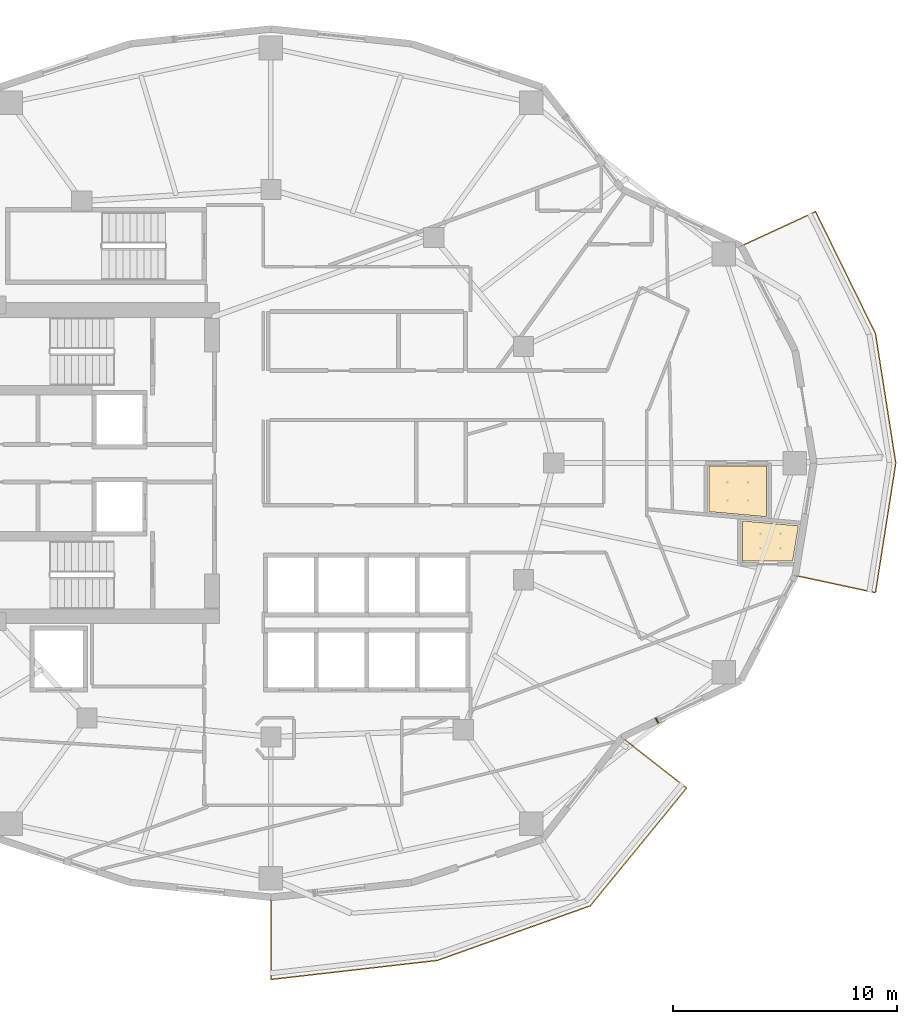
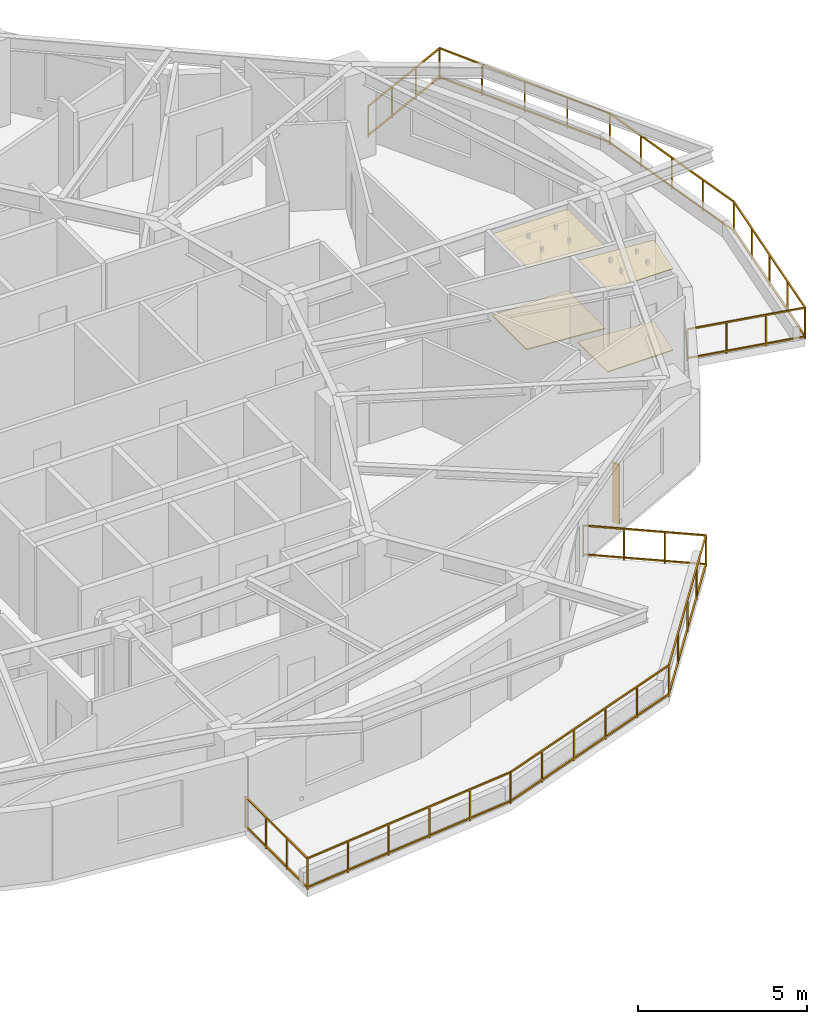
# One storey, part 12 of 14: 4 coverings, 2 railings, 1 shading device.
"""IFC4 building model written with IfcOpenShell, lengths in metres."""

from ifc_helpers import new_model, si_unit, direction, frame, origin, origin_2d, place, context, subcontext, project, spatial, polyline, rectangle, outline, extrude, material, layer, layer_set, type_object, element, save


model = new_model("IFC4")

# Units and contexts
model_context = context("Model", 3, precision=1e-05, world=origin(), true_north=direction((0.0, 1.0)))
body_context = subcontext(model_context, "Body", "Model", "MODEL_VIEW")
ifc_project = project(units=[si_unit("LENGTHUNIT", "METRE"), si_unit("AREAUNIT", "SQUARE_METRE"), si_unit("VOLUMEUNIT", "CUBIC_METRE"), si_unit("PLANEANGLEUNIT", "RADIAN"), si_unit("MASSUNIT", "GRAM", prefix="KILO")], contexts=[model_context])

# Site, building, storey
site_placement = place(None, origin())
site = spatial("IfcSite", under=ifc_project, at=site_placement, CompositionType="ELEMENT")
building_placement = place(site_placement, origin())
building = spatial("IfcBuilding", under=site, at=building_placement, Name="Kolvaren Gate Tower and Convention Centre", CompositionType="ELEMENT")
storey_placement = place(building_placement, frame((0.0, 0.0, 132.5)))
storey = spatial("IfcBuildingStorey", under=building, at=storey_placement, Name="L33", CompositionType="ELEMENT", Elevation=132.5)

# Coverings
ifc_material_1 = material(Name="Perforated Mineral-Fibre Acoustic Ceiling Tile 18 mm", Category="gypsum")
ifc_layer_1 = layer(ifc_material_1, 0.01806640625)
ifc_layer_set_1 = layer_set([ifc_layer_1], Name="Perforated Mineral-Fibre Acoustic Ceiling Tile 18 mm")
covering_type_1 = type_object("IfcCoveringType", Name="ARCH-COV-CEIL-18", PredefinedType="CEILING", material=ifc_layer_set_1)
covering_1_placement = place(storey_placement, frame((0.0, 0.0, 2.949951171875)))
element("IfcCovering", 1, at=covering_1_placement, inside=storey, type_object=covering_type_1, Name="En-suite Bathroom (HTL-L33-05) Acoustic Suspended Ceiling", PredefinedType="CEILING", context=body_context, shape_type="SweptSolid", body=[
    extrude(outline(polyline([(51.139892578125, 22.639892578125), (51.139892578125, 24.426025390625), (53.62890625, 24.2060546875), (53.3720703125, 22.639892578125), (51.139892578125, 22.639892578125)])), origin(), (0.0, 0.0, 1.0), 0.01806640625),
])
covering_2_placement = place(storey_placement, frame((0.0, 0.0, 2.949951171875)))
element("IfcCovering", 2, at=covering_2_placement, inside=storey, type_object=covering_type_1, Name="En-suite Bathroom (HTL-L33-07) Acoustic Suspended Ceiling", PredefinedType="CEILING", context=body_context, shape_type="SweptSolid", body=[
    extrude(outline(polyline([(49.639892578125, 26.862060546875), (52.2099609375, 26.862060546875), (52.2099609375, 24.612060546875), (49.639892578125, 24.839111328125), (49.639892578125, 26.862060546875)])), origin(), (0.0, 0.0, 1.0), 0.01806640625),
])
ifc_material_2 = material(Name="Honed Sabana Limestone Terrazzo Flooring 30 mm", Category="masonry")
ifc_layer_2 = layer(ifc_material_2, 0.030029296875)
ifc_layer_set_2 = layer_set([ifc_layer_2], Name="Honed Sabana Limestone Terrazzo Flooring 30 mm")
covering_type_2 = type_object("IfcCoveringType", Name="ARCH-COV-FLR-30", PredefinedType="FLOORING", material=ifc_layer_set_2)
covering_3_placement = place(storey_placement, origin())
element("IfcCovering", 3, at=covering_3_placement, inside=storey, type_object=covering_type_2, Name="En-suite Bathroom (HTL-L33-05) Interior Finish Flooring", PredefinedType="FLOORING", context=body_context, shape_type="SweptSolid", body=[
    extrude(outline(polyline([(51.139892578125, 22.639892578125), (51.139892578125, 24.426025390625), (53.62890625, 24.2060546875), (53.3720703125, 22.639892578125), (51.139892578125, 22.639892578125)])), origin(), (0.0, 0.0, 1.0), 0.030029296875),
])
covering_4_placement = place(storey_placement, origin())
element("IfcCovering", 4, at=covering_4_placement, inside=storey, type_object=covering_type_2, Name="En-suite Bathroom (HTL-L33-07) Interior Finish Flooring", PredefinedType="FLOORING", context=body_context, shape_type="SweptSolid", body=[
    extrude(outline(polyline([(49.639892578125, 26.862060546875), (52.2099609375, 26.862060546875), (52.2099609375, 24.612060546875), (49.639892578125, 24.839111328125), (49.639892578125, 26.862060546875)])), origin(), (0.0, 0.0, 1.0), 0.030029296875),
])

# Railings
ifc_material_3 = material(Name="Brushed Stainless Steel Grade 316L", Category="steel")
railing_type = type_object("IfcRailingType", Name="ARCH-RL-GUARD-1150", PredefinedType="GUARDRAIL", material=ifc_material_3)
railing_1_placement = place(storey_placement, frame((30.125, 7.64990234375, 0.0)))
element("IfcRailing", 5, at=railing_1_placement, inside=storey, type_object=railing_type, Name="Tower L33 Terrace Perimeter Guardrail GR-3", PredefinedType="GUARDRAIL", context=body_context, shape_type="SweptSolid", body=[
    extrude(rectangle(XDim=0.048095703125, YDim=0.048095703125, at=origin_2d()), frame((0.0, -0.028076171875, 1.1259765625), z_axis=(0.0, -1.0, 0.0), x_axis=(1.0, 0.0, 0.0)), (0.0, 0.0, 1.0), 3.603759765625),
    extrude(rectangle(XDim=0.048095703125, YDim=0.048095703125, at=origin_2d()), frame((0.0, -0.028076171875, 0.083984375), z_axis=(0.0, -1.0, 0.0), x_axis=(1.0, 0.0, 0.0)), (0.0, 0.0, 1.0), 3.603759765625),
    extrude(rectangle(XDim=0.048095703125, YDim=0.048095703125, at=origin_2d()), frame((0.02783203125, -3.65673828125, 1.1259765625), z_axis=(0.993523927361, 0.113623086387, 0.0), x_axis=(-0.113623086387, 0.993523927361, 0.0)), (0.0, 0.0, 1.0), 7.414794921875),
    extrude(rectangle(XDim=0.048095703125, YDim=0.048095703125, at=origin_2d()), frame((0.02783203125, -3.65673828125, 0.083984375), z_axis=(0.993523927361, 0.113623086387, 0.0), x_axis=(-0.113623086387, 0.993523927361, 0.0)), (0.0, 0.0, 1.0), 7.414794921875),
    extrude(rectangle(XDim=0.048095703125, YDim=0.048095703125, at=origin_2d()), frame((7.448974609375, -2.801513671875, 1.1259765625), z_axis=(0.941628873241, 0.336652736627, 0.0), x_axis=(-0.336652736627, 0.941628873241, 0.0)), (0.0, 0.0, 1.0), 7.17919921875),
    extrude(rectangle(XDim=0.048095703125, YDim=0.048095703125, at=origin_2d()), frame((7.448974609375, -2.801513671875, 0.083984375), z_axis=(0.941628873241, 0.336652736627, 0.0), x_axis=(-0.336652736627, 0.941628873241, 0.0)), (0.0, 0.0, 1.0), 7.17919921875),
    extrude(rectangle(XDim=0.048095703125, YDim=0.048095703125, at=origin_2d()), frame((14.25341796875, -0.353515625, 1.1259765625), z_axis=(0.633002467947, 0.77414977593, 0.0), x_axis=(-0.77414977593, 0.633002467947, 0.0)), (0.0, 0.0, 1.0), 6.724365234375),
    extrude(rectangle(XDim=0.048095703125, YDim=0.048095703125, at=origin_2d()), frame((14.25341796875, -0.353515625, 0.083984375), z_axis=(0.633002467947, 0.77414977593, 0.0), x_axis=(-0.77414977593, 0.633002467947, 0.0)), (0.0, 0.0, 1.0), 6.724365234375),
    extrude(rectangle(XDim=0.048095703125, YDim=0.048095703125, at=origin_2d()), frame((18.50537109375, 4.89111328125, 1.1259765625), z_axis=(-0.787963688807, 0.615721710776, 0.0), x_axis=(-0.615721710776, -0.787963688807, 0.0)), (0.0, 0.0, 1.0), 3.603759765625),
    extrude(rectangle(XDim=0.048095703125, YDim=0.048095703125, at=origin_2d()), frame((18.50537109375, 4.89111328125, 0.083984375), z_axis=(-0.787963688807, 0.615721710776, 0.0), x_axis=(-0.615721710776, -0.787963688807, 0.0)), (0.0, 0.0, 1.0), 3.603759765625),
    extrude(rectangle(XDim=0.0419921875, YDim=0.0419921875, at=origin_2d()), origin(), (0.0, 0.0, 1.0), 1.14990234375),
    extrude(rectangle(XDim=0.0419921875, YDim=0.0419921875, at=origin_2d()), frame((0.0, -3.659912109375, 0.0)), (0.0, 0.0, 1.0), 1.14990234375),
    extrude(rectangle(XDim=0.0419921875, YDim=0.0419921875, at=origin_2d()), frame((0.0, -1.219970703125, 0.0)), (0.0, 0.0, 1.0), 1.099853515625),
    extrude(rectangle(XDim=0.0419921875, YDim=0.0419921875, at=origin_2d()), frame((0.0, -2.43994140625, 0.0)), (0.0, 0.0, 1.0), 1.099853515625),
    extrude(rectangle(XDim=0.0419921875, YDim=0.0419921875, at=origin_2d()), frame((7.422607421875, -2.81103515625, 0.0)), (0.0, 0.0, 1.0), 1.14990234375),
    extrude(rectangle(XDim=0.0419921875, YDim=0.0419921875, at=origin_2d()), frame((1.484619140625, -3.490234375, 0.0)), (0.0, 0.0, 1.0), 1.099853515625),
    extrude(rectangle(XDim=0.0419921875, YDim=0.0419921875, at=origin_2d()), frame((2.968994140625, -3.3203125, 0.0)), (0.0, 0.0, 1.0), 1.099853515625),
    extrude(rectangle(XDim=0.0419921875, YDim=0.0419921875, at=origin_2d()), frame((4.45361328125, -3.150634765625, 0.0)), (0.0, 0.0, 1.0), 1.099853515625),
    extrude(rectangle(XDim=0.0419921875, YDim=0.0419921875, at=origin_2d()), frame((5.93798828125, -2.980712890625, 0.0)), (0.0, 0.0, 1.0), 1.099853515625),
    extrude(rectangle(XDim=0.0419921875, YDim=0.0419921875, at=origin_2d()), frame((14.235595703125, -0.375244140625, 0.0)), (0.0, 0.0, 1.0), 1.14990234375),
    extrude(rectangle(XDim=0.0419921875, YDim=0.0419921875, at=origin_2d()), frame((8.78515625, -2.323974609375, 0.0)), (0.0, 0.0, 1.0), 1.099853515625),
    extrude(rectangle(XDim=0.0419921875, YDim=0.0419921875, at=origin_2d()), frame((10.147705078125, -1.836669921875, 0.0)), (0.0, 0.0, 1.0), 1.099853515625),
    extrude(rectangle(XDim=0.0419921875, YDim=0.0419921875, at=origin_2d()), frame((11.510498046875, -1.349609375, 0.0)), (0.0, 0.0, 1.0), 1.099853515625),
    extrude(rectangle(XDim=0.0419921875, YDim=0.0419921875, at=origin_2d()), frame((12.873046875, -0.8623046875, 0.0)), (0.0, 0.0, 1.0), 1.099853515625),
    extrude(rectangle(XDim=0.0419921875, YDim=0.0419921875, at=origin_2d()), frame((18.527587890625, 4.873779296875, 0.0)), (0.0, 0.0, 1.0), 1.14990234375),
    extrude(rectangle(XDim=0.0419921875, YDim=0.0419921875, at=origin_2d()), frame((15.30859375, 0.93701171875, 0.0)), (0.0, 0.0, 1.0), 1.099853515625),
    extrude(rectangle(XDim=0.0419921875, YDim=0.0419921875, at=origin_2d()), frame((16.381591796875, 2.249267578125, 0.0)), (0.0, 0.0, 1.0), 1.099853515625),
    extrude(rectangle(XDim=0.0419921875, YDim=0.0419921875, at=origin_2d()), frame((17.45458984375, 3.5615234375, 0.0)), (0.0, 0.0, 1.0), 1.099853515625),
    extrude(rectangle(XDim=0.0419921875, YDim=0.0419921875, at=origin_2d()), frame((15.643798828125, 7.127197265625, 0.0)), (0.0, 0.0, 1.0), 1.14990234375),
    extrude(rectangle(XDim=0.0419921875, YDim=0.0419921875, at=origin_2d()), frame((17.56640625, 5.625, 0.0)), (0.0, 0.0, 1.0), 1.099853515625),
    extrude(rectangle(XDim=0.0419921875, YDim=0.0419921875, at=origin_2d()), frame((16.60498046875, 6.3759765625, 0.0)), (0.0, 0.0, 1.0), 1.099853515625),
])
railing_2_placement = place(storey_placement, frame((53.48828125, 21.991943359375, 0.0)))
element("IfcRailing", 6, at=railing_2_placement, inside=storey, type_object=railing_type, Name="Tower L33 Terrace Perimeter Guardrail GR-4", PredefinedType="GUARDRAIL", context=body_context, shape_type="SweptSolid", body=[
    extrude(rectangle(XDim=0.048095703125, YDim=0.048095703125, at=origin_2d()), frame((0.02734375, -0.005859375, 1.1259765625), z_axis=(0.977788745232, -0.209592866525, 0.0), x_axis=(0.209592866525, 0.977788745232, 0.0)), (0.0, 0.0, 1.0), 3.603759765625),
    extrude(rectangle(XDim=0.048095703125, YDim=0.048095703125, at=origin_2d()), frame((0.02734375, -0.005859375, 0.083984375), z_axis=(0.977788745232, -0.209592866525, 0.0), x_axis=(0.209592866525, 0.977788745232, 0.0)), (0.0, 0.0, 1.0), 3.603759765625),
    extrude(rectangle(XDim=0.048095703125, YDim=0.048095703125, at=origin_2d()), frame((3.5830078125, -0.739501953125, 1.1259765625), z_axis=(0.154903030247, 0.987929679289, 0.0), x_axis=(-0.987929679289, 0.154903030247, 0.0)), (0.0, 0.0, 1.0), 5.78955078125),
    extrude(rectangle(XDim=0.048095703125, YDim=0.048095703125, at=origin_2d()), frame((3.5830078125, -0.739501953125, 0.083984375), z_axis=(0.154903030247, 0.987929679289, 0.0), x_axis=(-0.987929679289, 0.154903030247, 0.0)), (0.0, 0.0, 1.0), 5.78955078125),
    extrude(rectangle(XDim=0.048095703125, YDim=0.048095703125, at=origin_2d()), frame((4.479736328125, 5.03564453125, 1.1259765625), z_axis=(-0.154903030247, 0.987929679289, 0.0), x_axis=(-0.987929679289, -0.154903030247, 0.0)), (0.0, 0.0, 1.0), 5.78955078125),
    extrude(rectangle(XDim=0.048095703125, YDim=0.048095703125, at=origin_2d()), frame((4.479736328125, 5.03564453125, 0.083984375), z_axis=(-0.154903030247, 0.987929679289, 0.0), x_axis=(-0.987929679289, -0.154903030247, 0.0)), (0.0, 0.0, 1.0), 5.78955078125),
    extrude(rectangle(XDim=0.048095703125, YDim=0.048095703125, at=origin_2d()), frame((3.566162109375, 10.808349609375, 1.1259765625), z_axis=(-0.441237167293, 0.897390529368, 0.0), x_axis=(-0.897390529368, -0.441237167293, 0.0)), (0.0, 0.0, 1.0), 5.999755859375),
    extrude(rectangle(XDim=0.048095703125, YDim=0.048095703125, at=origin_2d()), frame((3.566162109375, 10.808349609375, 0.083984375), z_axis=(-0.441237167293, 0.897390529368, 0.0), x_axis=(-0.897390529368, -0.441237167293, 0.0)), (0.0, 0.0, 1.0), 5.999755859375),
    extrude(rectangle(XDim=0.048095703125, YDim=0.048095703125, at=origin_2d()), frame((0.881103515625, 16.2060546875, 1.1259765625), z_axis=(-0.907846116663, -0.419303503993, 0.0), x_axis=(0.419303503993, -0.907846116663, 0.0)), (0.0, 0.0, 1.0), 3.60400390625),
    extrude(rectangle(XDim=0.048095703125, YDim=0.048095703125, at=origin_2d()), frame((0.881103515625, 16.2060546875, 0.083984375), z_axis=(-0.907846116663, -0.419303503993, 0.0), x_axis=(0.419303503993, -0.907846116663, 0.0)), (0.0, 0.0, 1.0), 3.60400390625),
    extrude(rectangle(XDim=0.0419921875, YDim=0.0419921875, at=origin_2d()), origin(), (0.0, 0.0, 1.0), 1.14990234375),
    extrude(rectangle(XDim=0.0419921875, YDim=0.0419921875, at=origin_2d()), frame((3.57861328125, -0.76708984375, 0.0)), (0.0, 0.0, 1.0), 1.14990234375),
    extrude(rectangle(XDim=0.0419921875, YDim=0.0419921875, at=origin_2d()), frame((1.19287109375, -0.255615234375, 0.0)), (0.0, 0.0, 1.0), 1.099853515625),
    extrude(rectangle(XDim=0.0419921875, YDim=0.0419921875, at=origin_2d()), frame((2.3857421875, -0.511474609375, 0.0)), (0.0, 0.0, 1.0), 1.099853515625),
    extrude(rectangle(XDim=0.0419921875, YDim=0.0419921875, at=origin_2d()), frame((4.484130859375, 5.008056640625, 0.0)), (0.0, 0.0, 1.0), 1.14990234375),
    extrude(rectangle(XDim=0.0419921875, YDim=0.0419921875, at=origin_2d()), frame((3.804931640625, 0.6767578125, 0.0)), (0.0, 0.0, 1.0), 1.099853515625),
    extrude(rectangle(XDim=0.0419921875, YDim=0.0419921875, at=origin_2d()), frame((4.03125, 2.12060546875, 0.0)), (0.0, 0.0, 1.0), 1.099853515625),
    extrude(rectangle(XDim=0.0419921875, YDim=0.0419921875, at=origin_2d()), frame((4.2578125, 3.564208984375, 0.0)), (0.0, 0.0, 1.0), 1.099853515625),
    extrude(rectangle(XDim=0.0419921875, YDim=0.0419921875, at=origin_2d()), frame((3.57861328125, 10.783203125, 0.0)), (0.0, 0.0, 1.0), 1.14990234375),
    extrude(rectangle(XDim=0.0419921875, YDim=0.0419921875, at=origin_2d()), frame((4.2578125, 6.451904296875, 0.0)), (0.0, 0.0, 1.0), 1.099853515625),
    extrude(rectangle(XDim=0.0419921875, YDim=0.0419921875, at=origin_2d()), frame((4.03125, 7.8955078125, 0.0)), (0.0, 0.0, 1.0), 1.099853515625),
    extrude(rectangle(XDim=0.0419921875, YDim=0.0419921875, at=origin_2d()), frame((3.804931640625, 9.33935546875, 0.0)), (0.0, 0.0, 1.0), 1.099853515625),
    extrude(rectangle(XDim=0.0419921875, YDim=0.0419921875, at=origin_2d()), frame((0.906494140625, 16.2177734375, 0.0)), (0.0, 0.0, 1.0), 1.14990234375),
    extrude(rectangle(XDim=0.0419921875, YDim=0.0419921875, at=origin_2d()), frame((2.91064453125, 12.141845703125, 0.0)), (0.0, 0.0, 1.0), 1.099853515625),
    extrude(rectangle(XDim=0.0419921875, YDim=0.0419921875, at=origin_2d()), frame((2.24267578125, 13.50048828125, 0.0)), (0.0, 0.0, 1.0), 1.099853515625),
    extrude(rectangle(XDim=0.0419921875, YDim=0.0419921875, at=origin_2d()), frame((1.574462890625, 14.859130859375, 0.0)), (0.0, 0.0, 1.0), 1.099853515625),
    extrude(rectangle(XDim=0.0419921875, YDim=0.0419921875, at=origin_2d()), frame((-2.416259765625, 14.68310546875, 0.0)), (0.0, 0.0, 1.0), 1.14990234375),
    extrude(rectangle(XDim=0.0419921875, YDim=0.0419921875, at=origin_2d()), frame((-0.201171875, 15.706298828125, 0.0)), (0.0, 0.0, 1.0), 1.099853515625),
    extrude(rectangle(XDim=0.0419921875, YDim=0.0419921875, at=origin_2d()), frame((-1.30859375, 15.194580078125, 0.0)), (0.0, 0.0, 1.0), 1.099853515625),
])

# Shading device
ifc_material_4 = material(Name="Kiln-Fired Bogota Terracotta Ceramic Louvre Profile", Category="masonry")
shading_device_type = type_object("IfcShadingDeviceType", Name="ARCH-SHD-FIN-180", PredefinedType="JALOUSIE", material=ifc_material_4)
shading_device_placement = place(storey_placement, frame((47.329833984375, 15.527099609375, 0.219970703125), z_axis=(0.0, 0.0, 1.0), x_axis=(0.901362925045, 0.433064518696, 0.0)))
element("IfcShadingDevice", 7, at=shading_device_placement, inside=storey, type_object=shading_device_type, Name="Ceramic Vertical Brise-Soleil Fin FN-L33-21", PredefinedType="JALOUSIE", context=body_context, shape_type="SweptSolid", body=[
    extrude(rectangle(XDim=0.06005859375, YDim=0.239990234375, at=origin_2d()), origin(), (0.0, 0.0, 1.0), 2.14990234375),
])

save(model, "model.ifc")
